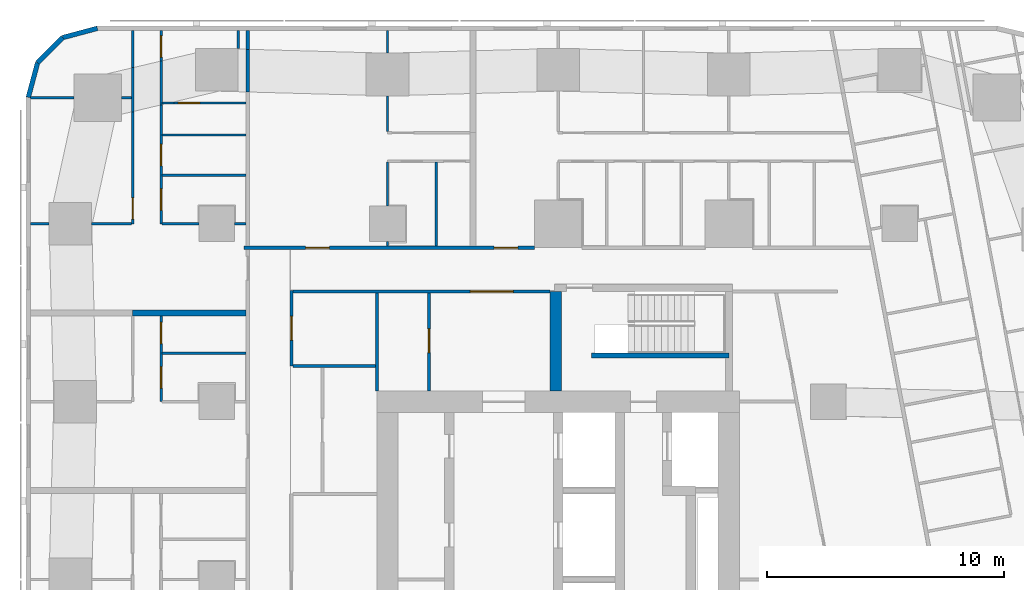
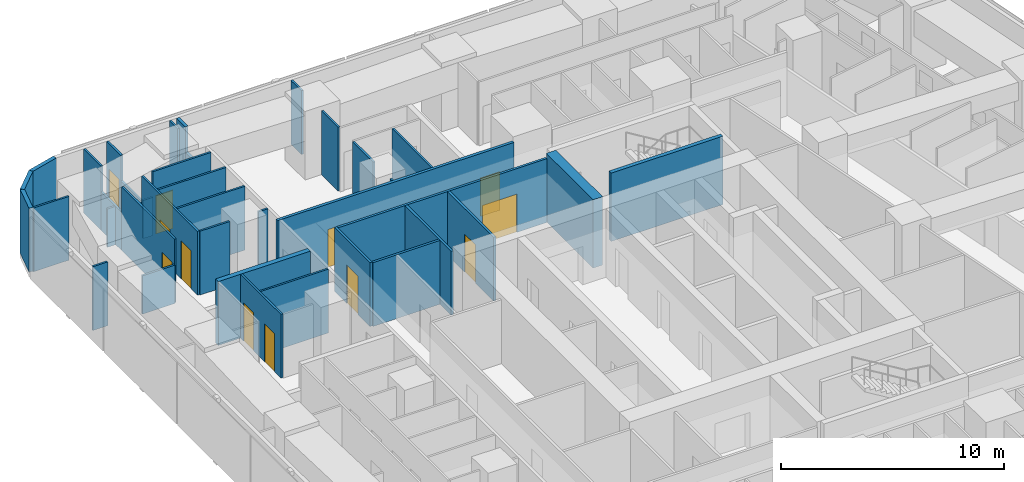
# One storey, part 8 of 14: 38 walls, 12 doors, 12 openings.
"""IFC4 building model written with IfcOpenShell, lengths in metres."""

from ifc_helpers import new_model, si_unit, direction, frame, frame_2d, origin, place, context, subcontext, project, spatial, rectangle, extrude, material, layer, layer_set, type_object, element, fill, save


model = new_model("IFC4")

# Units and contexts
model_context = context("Model", 3, precision=1e-05, world=origin(), true_north=direction((0.0, 1.0)))
body_context = subcontext(model_context, "Body", "Model", "MODEL_VIEW")
ifc_project = project(units=[si_unit("LENGTHUNIT", "METRE"), si_unit("AREAUNIT", "SQUARE_METRE"), si_unit("VOLUMEUNIT", "CUBIC_METRE"), si_unit("PLANEANGLEUNIT", "RADIAN"), si_unit("MASSUNIT", "GRAM", prefix="KILO")], contexts=[model_context])

# Site, building, storey
site_placement = place(None, origin())
site = spatial("IfcSite", under=ifc_project, at=site_placement, CompositionType="ELEMENT")
building_placement = place(site_placement, origin())
building = spatial("IfcBuilding", under=site, at=building_placement, Name="Sheger Commons Tower", CompositionType="ELEMENT")
storey_placement = place(building_placement, frame((0.0, 0.0, 135.800048828125)))
storey = spatial("IfcBuildingStorey", under=building, at=storey_placement, Name="L34", CompositionType="ELEMENT", Elevation=135.800048828125)

# Walls
ifc_material_1 = material(Name="Hollow concrete block masonry, skimmed both sides", Category="masonry")
ifc_layer_1 = layer(ifc_material_1, 0.14990234375)
ifc_layer_set_1 = layer_set([ifc_layer_1], Name="CORRIDOR WALL 150")
wall_type_1 = type_object("IfcWallType", Name="CORRIDOR WALL 150", PredefinedType="SOLIDWALL", material=ifc_layer_set_1)
wall_1_placement = place(storey_placement, frame((8.5, 43.06103515625, 0.0), z_axis=(0.0, 0.0, 1.0), x_axis=(0.0, 1.0, 0.0)))
element("IfcWall", 1, at=wall_1_placement, inside=storey, type_object=wall_type_1, Name="Corridor wall L34", PredefinedType="SOLIDWALL", context=body_context, shape_type="SweptSolid", body=[
    extrude(rectangle(XDim=1.804931640625, YDim=0.14990234375, at=frame_2d((0.90234375, 0.0))), origin(), (0.0, 0.0, 1.0), 2.099853515625),
])
wall_2_placement = place(storey_placement, frame((8.5, 44.865966796875, 0.0), z_axis=(0.0, 0.0, 1.0), x_axis=(0.0, 1.0, 0.0)))
element("IfcWall", 2, at=wall_2_placement, inside=storey, type_object=wall_type_1, Name="Corridor wall L34", PredefinedType="SOLIDWALL", context=body_context, shape_type="SweptSolid", body=[
    extrude(rectangle(XDim=0.783935546875, YDim=0.14990234375, at=frame_2d((0.39208984375, 0.0))), origin(), (0.0, 0.0, 1.0), 3.5),
])

# Wall, openings, doors
wall_3_placement = place(storey_placement, frame((8.35009765625, 36.5, 0.0), z_axis=(0.0, 0.0, 1.0), x_axis=(1.0, 0.0, 0.0)))
wall_3 = element("IfcWall", 3, at=wall_3_placement, inside=storey, type_object=wall_type_1, Name="Corridor wall L34", PredefinedType="SOLIDWALL", context=body_context, shape_type="SweptSolid", body=[
    extrude(rectangle(XDim=12.2490234375, YDim=0.14990234375, at=frame_2d((6.12451171875, 0.0))), origin(), (0.0, 0.0, 1.0), 3.5),
])
opening_1_placement = place(wall_3_placement, frame((2.60009765625, 0.0, 0.0)))
opening_1 = element("IfcOpeningElement", 4, at=opening_1_placement, cuts=wall_3, Name="Opening D1", PredefinedType="OPENING", context=body_context, shape_type="SweptSolid", body=[
    extrude(rectangle(XDim=1.0, YDim=2.10009765625, at=frame_2d((0.5, 1.050048828125))), frame((0.0, 0.0849609375, 0.0), z_axis=(0.0, -1.0, 0.0), x_axis=(1.0, 0.0, 0.0)), (0.0, 0.0, 1.0), 0.169921875),
])
opening_2_placement = place(wall_3_placement, frame((10.550048828125, 0.0, 0.0)))
opening_2 = element("IfcOpeningElement", 5, at=opening_2_placement, cuts=wall_3, Name="Opening D1", PredefinedType="OPENING", context=body_context, shape_type="SweptSolid", body=[
    extrude(rectangle(XDim=1.0, YDim=2.10009765625, at=frame_2d((0.5, 1.050048828125))), frame((0.0, 0.0849609375, 0.0), z_axis=(0.0, -1.0, 0.0), x_axis=(1.0, 0.0, 0.0)), (0.0, 0.0, 1.0), 0.169921875),
])
ifc_material_2 = material(Name="Steel door set, fire rated", Category="steel")
door_type_1 = type_object("IfcDoorType", Name="FLAT ENTRANCE DOOR 1000x2100", OperationType="NOTDEFINED", PredefinedType="DOOR", material=ifc_material_2)
door_1_placement = place(opening_1_placement, origin())
door_1 = element("IfcDoor", 6, at=door_1_placement, inside=storey, type_object=door_type_1, Name="Flat entrance door", OperationType="SINGLE_SWING_LEFT", OverallHeight=2.10009765625, OverallWidth=1.0, PredefinedType="DOOR", context=body_context, shape_type="SweptSolid", body=[
    extrude(rectangle(XDim=1.0, YDim=2.10009765625, at=frame_2d((0.5, 1.050048828125))), frame((0.0, 0.02490234375, 0.0), z_axis=(0.0, -1.0, 0.0), x_axis=(1.0, 0.0, 0.0)), (0.0, 0.0, 1.0), 0.050048828125),
])
fill(opening_1, door_1)
door_2_placement = place(opening_2_placement, origin())
door_2 = element("IfcDoor", 7, at=door_2_placement, inside=storey, type_object=door_type_1, Name="Flat entrance door", OperationType="SINGLE_SWING_RIGHT", OverallHeight=2.10009765625, OverallWidth=1.0, PredefinedType="DOOR", context=body_context, shape_type="SweptSolid", body=[
    extrude(rectangle(XDim=1.0, YDim=2.10009765625, at=frame_2d((0.5, 1.050048828125))), frame((0.0, 0.02490234375, 0.0), z_axis=(0.0, -1.0, 0.0), x_axis=(1.0, 0.0, 0.0)), (0.0, 0.0, 1.0), 0.050048828125),
])
fill(opening_2, door_2)

# Walls
ifc_material_3 = material(Name="Dense concrete block masonry, plastered both sides (separating wall between flats)", Category="masonry")
ifc_layer_2 = layer(ifc_material_3, 0.25)
ifc_layer_set_2 = layer_set([ifc_layer_2], Name="DEMISING WALL 250")
wall_type_2 = type_object("IfcWallType", Name="DEMISING WALL 250", PredefinedType="SOLIDWALL", material=ifc_layer_set_2)
wall_4_placement = place(storey_placement, frame((3.64990234375, 33.75, 0.0), z_axis=(0.0, 0.0, 1.0), x_axis=(1.0, 0.0, 0.0)))
element("IfcWall", 8, at=wall_4_placement, inside=storey, type_object=wall_type_2, Name="Demising wall L34", PredefinedType="SOLIDWALL", context=body_context, shape_type="SweptSolid", body=[
    extrude(rectangle(XDim=4.775146484375, YDim=0.25, at=frame_2d((2.3876953125, 0.0))), origin(), (0.0, 0.0, 1.0), 3.5),
])
ifc_material_4 = material(Name="Rendered concrete block masonry, dark grey", Category="masonry")
ifc_layer_3 = layer(ifc_material_4, 0.199951171875)
ifc_layer_set_3 = layer_set([ifc_layer_3], Name="FACADE WALL 200")
wall_type_3 = type_object("IfcWallType", Name="FACADE WALL 200", PredefinedType="SOLIDWALL", material=ifc_layer_set_3)
wall_5_placement = place(storey_placement, frame((2.1630859375, 45.75, 0.0), z_axis=(0.0, 0.0, 1.0), x_axis=(-0.965832000415, -0.259168954497, 0.0)))
element("IfcWall", 9, at=wall_5_placement, inside=storey, type_object=wall_type_3, Name="Facade wall L34", PredefinedType="SOLIDWALL", context=body_context, shape_type="SweptSolid", body=[
    extrude(rectangle(XDim=1.512939453125, YDim=0.199951171875, at=frame_2d((0.75634765625, 0.0))), origin(), (0.0, 0.0, 1.0), 3.5),
])
wall_6_placement = place(storey_placement, frame((0.701904296875, 45.35791015625, 0.0), z_axis=(0.0, 0.0, 1.0), x_axis=(-0.707106781187, -0.707106781187, 0.0)))
element("IfcWall", 10, at=wall_6_placement, inside=storey, type_object=wall_type_3, Name="Facade wall L34", PredefinedType="SOLIDWALL", context=body_context, shape_type="SweptSolid", body=[
    extrude(rectangle(XDim=1.498779296875, YDim=0.199951171875, at=frame_2d((0.74951171875, 0.0))), origin(), (0.0, 0.0, 1.0), 3.5),
])
wall_7_placement = place(storey_placement, frame((-0.35791015625, 44.298095703125, 0.0), z_axis=(0.0, 0.0, 1.0), x_axis=(-0.259168954497, -0.965832000415, 0.0)))
element("IfcWall", 11, at=wall_7_placement, inside=storey, type_object=wall_type_3, Name="Facade wall L34", PredefinedType="SOLIDWALL", context=body_context, shape_type="SweptSolid", body=[
    extrude(rectangle(XDim=1.512939453125, YDim=0.199951171875, at=frame_2d((0.75634765625, 0.0))), origin(), (0.0, 0.0, 1.0), 3.5),
])
ifc_material_5 = material(Name="Gypsum board on steel studs", Category="steel")
ifc_layer_4 = layer(ifc_material_5, 0.10009765625)
ifc_layer_set_4 = layer_set([ifc_layer_4], Name="PARTITION 100")
wall_type_4 = type_object("IfcWallType", Name="PARTITION 100", PredefinedType="PARTITIONING", material=ifc_layer_set_4)
wall_8_placement = place(storey_placement, frame((8.10009765625, 45.64990234375, 0.0), z_axis=(0.0, 0.0, 1.0), x_axis=(0.0, -1.0, 0.0)))
element("IfcWall", 12, at=wall_8_placement, inside=storey, type_object=wall_type_4, Name="Partition L34", PredefinedType="PARTITIONING", context=body_context, shape_type="SweptSolid", body=[
    extrude(rectangle(XDim=0.7490234375, YDim=0.10009765625, at=frame_2d((0.37451171875, 0.0))), origin(), (0.0, 0.0, 1.0), 3.5),
])

# Wall, openings, doors
wall_9_placement = place(storey_placement, frame((4.85009765625, 30.0, 0.0), z_axis=(0.0, 0.0, 1.0), x_axis=(0.0, 1.0, 0.0)))
wall_9 = element("IfcWall", 13, at=wall_9_placement, inside=storey, type_object=wall_type_4, Name="Partition L34", PredefinedType="PARTITIONING", context=body_context, shape_type="SweptSolid", body=[
    extrude(rectangle(XDim=3.625, YDim=0.10009765625, at=frame_2d((1.8125, 0.0))), origin(), (0.0, 0.0, 1.0), 3.5),
])
opening_3_placement = place(wall_9_placement, frame((0.574951171875, 0.0, 0.0)))
opening_3 = element("IfcOpeningElement", 14, at=opening_3_placement, cuts=wall_9, Name="Opening D2", PredefinedType="OPENING", context=body_context, shape_type="SweptSolid", body=[
    extrude(rectangle(XDim=0.89990234375, YDim=2.10009765625, at=frame_2d((0.449951171875, 1.050048828125))), frame((0.0, 0.06005859375, 0.0), z_axis=(0.0, -1.0, 0.0), x_axis=(1.0, 0.0, 0.0)), (0.0, 0.0, 1.0), 0.1201171875),
])
opening_4_placement = place(wall_9_placement, frame((2.449951171875, 0.0, 0.0)))
opening_4 = element("IfcOpeningElement", 15, at=opening_4_placement, cuts=wall_9, Name="Opening D2", PredefinedType="OPENING", context=body_context, shape_type="SweptSolid", body=[
    extrude(rectangle(XDim=0.89990234375, YDim=2.10009765625, at=frame_2d((0.449951171875, 1.050048828125))), frame((0.0, 0.06005859375, 0.0), z_axis=(0.0, -1.0, 0.0), x_axis=(1.0, 0.0, 0.0)), (0.0, 0.0, 1.0), 0.1201171875),
])
ifc_material_6 = material(Name="Timber door set", Category="wood")
door_type_2 = type_object("IfcDoorType", Name="INTERNAL DOOR 900x2100", OperationType="NOTDEFINED", PredefinedType="DOOR", material=ifc_material_6)
door_3_placement = place(opening_3_placement, origin())
door_3 = element("IfcDoor", 16, at=door_3_placement, inside=storey, type_object=door_type_2, Name="Bathroom door", OperationType="SINGLE_SWING_RIGHT", OverallHeight=2.10009765625, OverallWidth=0.89990234375, PredefinedType="DOOR", context=body_context, shape_type="SweptSolid", body=[
    extrude(rectangle(XDim=0.89990234375, YDim=2.10009765625, at=frame_2d((0.449951171875, 1.050048828125))), frame((0.0, 0.02490234375, 0.0), z_axis=(0.0, -1.0, 0.0), x_axis=(1.0, 0.0, 0.0)), (0.0, 0.0, 1.0), 0.050048828125),
])
fill(opening_3, door_3)
door_4_placement = place(opening_4_placement, origin())
door_4 = element("IfcDoor", 17, at=door_4_placement, inside=storey, type_object=door_type_2, Name="Store door", OperationType="SINGLE_SWING_LEFT", OverallHeight=2.10009765625, OverallWidth=0.89990234375, PredefinedType="DOOR", context=body_context, shape_type="SweptSolid", body=[
    extrude(rectangle(XDim=0.89990234375, YDim=2.10009765625, at=frame_2d((0.449951171875, 1.050048828125))), frame((0.0, 0.02490234375, 0.0), z_axis=(0.0, -1.0, 0.0), x_axis=(1.0, 0.0, 0.0)), (0.0, 0.0, 1.0), 0.050048828125),
])
fill(opening_4, door_4)

# Wall
wall_10_placement = place(storey_placement, frame((4.89990234375, 32.050048828125, 0.0), z_axis=(0.0, 0.0, 1.0), x_axis=(1.0, 0.0, 0.0)))
element("IfcWall", 18, at=wall_10_placement, inside=storey, type_object=wall_type_4, Name="Partition L34", PredefinedType="PARTITIONING", context=body_context, shape_type="SweptSolid", body=[
    extrude(rectangle(XDim=3.525146484375, YDim=0.10009765625, at=frame_2d((1.7626953125, 0.0))), origin(), (0.0, 0.0, 1.0), 3.5),
])

# Wall, opening, door
wall_11_placement = place(storey_placement, frame((3.64990234375, 37.5, 0.0), z_axis=(0.0, 0.0, 1.0), x_axis=(0.0, 1.0, 0.0)))
wall_11 = element("IfcWall", 19, at=wall_11_placement, inside=storey, type_object=wall_type_4, Name="Partition L34", PredefinedType="PARTITIONING", context=body_context, shape_type="SweptSolid", body=[
    extrude(rectangle(XDim=4.72412109375, YDim=0.10009765625, at=frame_2d((2.362060546875, 0.0))), origin(), (0.0, 0.0, 1.0), 3.5),
])
opening_5_placement = place(wall_11_placement, frame((0.199951171875, 0.0, 0.0)))
opening_5 = element("IfcOpeningElement", 20, at=opening_5_placement, cuts=wall_11, Name="Opening D2", PredefinedType="OPENING", context=body_context, shape_type="SweptSolid", body=[
    extrude(rectangle(XDim=0.89990234375, YDim=2.10009765625, at=frame_2d((0.449951171875, 1.050048828125))), frame((0.0, 0.06005859375, 0.0), z_axis=(0.0, -1.0, 0.0), x_axis=(1.0, 0.0, 0.0)), (0.0, 0.0, 1.0), 0.1201171875),
])
door_5_placement = place(opening_5_placement, origin())
door_5 = element("IfcDoor", 21, at=door_5_placement, inside=storey, type_object=door_type_2, Name="Main bedroom door", OperationType="SINGLE_SWING_LEFT", OverallHeight=2.10009765625, OverallWidth=0.89990234375, PredefinedType="DOOR", context=body_context, shape_type="SweptSolid", body=[
    extrude(rectangle(XDim=0.89990234375, YDim=2.10009765625, at=frame_2d((0.449951171875, 1.050048828125))), frame((0.0, 0.02490234375, 0.0), z_axis=(0.0, -1.0, 0.0), x_axis=(1.0, 0.0, 0.0)), (0.0, 0.0, 1.0), 0.050048828125),
])
fill(opening_5, door_5)

# Walls
wall_12_placement = place(storey_placement, frame((3.64990234375, 42.22412109375, 0.0), z_axis=(0.0, 0.0, 1.0), x_axis=(0.0, 1.0, 0.0)))
element("IfcWall", 22, at=wall_12_placement, inside=storey, type_object=wall_type_4, Name="Partition L34", PredefinedType="PARTITIONING", context=body_context, shape_type="SweptSolid", body=[
    extrude(rectangle(XDim=1.872802734375, YDim=0.10009765625, at=frame_2d((0.9365234375, 0.0))), origin(), (0.0, 0.0, 1.0), 2.099853515625),
])
wall_13_placement = place(storey_placement, frame((3.64990234375, 44.096923828125, 0.0), z_axis=(0.0, 0.0, 1.0), x_axis=(0.0, 1.0, 0.0)))
element("IfcWall", 23, at=wall_13_placement, inside=storey, type_object=wall_type_4, Name="Partition L34", PredefinedType="PARTITIONING", context=body_context, shape_type="SweptSolid", body=[
    extrude(rectangle(XDim=1.552978515625, YDim=0.10009765625, at=frame_2d((0.7763671875, 0.0))), origin(), (0.0, 0.0, 1.0), 3.5),
])

# Wall, openings, doors
wall_14_placement = place(storey_placement, frame((4.85009765625, 37.5, 0.0), z_axis=(0.0, 0.0, 1.0), x_axis=(0.0, 1.0, 0.0)))
wall_14 = element("IfcWall", 24, at=wall_14_placement, inside=storey, type_object=wall_type_4, Name="Partition L34", PredefinedType="PARTITIONING", context=body_context, shape_type="SweptSolid", body=[
    extrude(rectangle(XDim=5.007080078125, YDim=0.10009765625, at=frame_2d((2.50341796875, 0.0))), origin(), (0.0, 0.0, 1.0), 3.5),
])
opening_6_placement = place(wall_14_placement, frame((0.574951171875, 0.0, 0.0)))
opening_6 = element("IfcOpeningElement", 25, at=opening_6_placement, cuts=wall_14, Name="Opening D2", PredefinedType="OPENING", context=body_context, shape_type="SweptSolid", body=[
    extrude(rectangle(XDim=0.89990234375, YDim=2.10009765625, at=frame_2d((0.449951171875, 1.050048828125))), frame((0.0, 0.06005859375, 0.0), z_axis=(0.0, -1.0, 0.0), x_axis=(1.0, 0.0, 0.0)), (0.0, 0.0, 1.0), 0.1201171875),
])
opening_7_placement = place(wall_14_placement, frame((2.449951171875, 0.0, 0.0)))
opening_7 = element("IfcOpeningElement", 26, at=opening_7_placement, cuts=wall_14, Name="Opening D2", PredefinedType="OPENING", context=body_context, shape_type="SweptSolid", body=[
    extrude(rectangle(XDim=0.89990234375, YDim=2.10009765625, at=frame_2d((0.449951171875, 1.050048828125))), frame((0.0, 0.06005859375, 0.0), z_axis=(0.0, -1.0, 0.0), x_axis=(1.0, 0.0, 0.0)), (0.0, 0.0, 1.0), 0.1201171875),
])
door_6_placement = place(opening_6_placement, origin())
door_6 = element("IfcDoor", 27, at=door_6_placement, inside=storey, type_object=door_type_2, Name="Bathroom door", OperationType="SINGLE_SWING_RIGHT", OverallHeight=2.10009765625, OverallWidth=0.89990234375, PredefinedType="DOOR", context=body_context, shape_type="SweptSolid", body=[
    extrude(rectangle(XDim=0.89990234375, YDim=2.10009765625, at=frame_2d((0.449951171875, 1.050048828125))), frame((0.0, 0.02490234375, 0.0), z_axis=(0.0, -1.0, 0.0), x_axis=(1.0, 0.0, 0.0)), (0.0, 0.0, 1.0), 0.050048828125),
])
fill(opening_6, door_6)
door_7_placement = place(opening_7_placement, origin())
door_7 = element("IfcDoor", 28, at=door_7_placement, inside=storey, type_object=door_type_2, Name="Store door", OperationType="SINGLE_SWING_LEFT", OverallHeight=2.10009765625, OverallWidth=0.89990234375, PredefinedType="DOOR", context=body_context, shape_type="SweptSolid", body=[
    extrude(rectangle(XDim=0.89990234375, YDim=2.10009765625, at=frame_2d((0.449951171875, 1.050048828125))), frame((0.0, 0.02490234375, 0.0), z_axis=(0.0, -1.0, 0.0), x_axis=(1.0, 0.0, 0.0)), (0.0, 0.0, 1.0), 0.050048828125),
])
fill(opening_7, door_7)

# Wall
wall_15_placement = place(storey_placement, frame((4.85009765625, 42.507080078125, 0.0), z_axis=(0.0, 0.0, 1.0), x_axis=(0.0, 1.0, 0.0)))
element("IfcWall", 29, at=wall_15_placement, inside=storey, type_object=wall_type_4, Name="Partition L34", PredefinedType="PARTITIONING", context=body_context, shape_type="SweptSolid", body=[
    extrude(rectangle(XDim=1.8740234375, YDim=0.10009765625, at=frame_2d((0.93701171875, 0.0))), origin(), (0.0, 0.0, 1.0), 2.099853515625),
])

# Wall, opening, door
wall_16_placement = place(storey_placement, frame((4.85009765625, 44.381103515625, 0.0), z_axis=(0.0, 0.0, 1.0), x_axis=(0.0, 1.0, 0.0)))
wall_16 = element("IfcWall", 30, at=wall_16_placement, inside=storey, type_object=wall_type_4, Name="Partition L34", PredefinedType="PARTITIONING", context=body_context, shape_type="SweptSolid", body=[
    extrude(rectangle(XDim=1.268798828125, YDim=0.10009765625, at=frame_2d((0.63427734375, 0.0))), origin(), (0.0, 0.0, 1.0), 3.5),
])
opening_8_placement = place(wall_16_placement, frame((0.14990234375, 0.0, 0.0)))
opening_8 = element("IfcOpeningElement", 31, at=opening_8_placement, cuts=wall_16, Name="Opening D2", PredefinedType="OPENING", context=body_context, shape_type="SweptSolid", body=[
    extrude(rectangle(XDim=0.89990234375, YDim=2.10009765625, at=frame_2d((0.449951171875, 1.050048828125))), frame((0.0, 0.06005859375, 0.0), z_axis=(0.0, -1.0, 0.0), x_axis=(1.0, 0.0, 0.0)), (0.0, 0.0, 1.0), 0.1201171875),
])
door_8_placement = place(opening_8_placement, origin())
door_8 = element("IfcDoor", 32, at=door_8_placement, inside=storey, type_object=door_type_2, Name="Store and laundry door", OperationType="SINGLE_SWING_RIGHT", OverallHeight=2.10009765625, OverallWidth=0.89990234375, PredefinedType="DOOR", context=body_context, shape_type="SweptSolid", body=[
    extrude(rectangle(XDim=0.89990234375, YDim=2.10009765625, at=frame_2d((0.449951171875, 1.050048828125))), frame((0.0, 0.02490234375, 0.0), z_axis=(0.0, -1.0, 0.0), x_axis=(1.0, 0.0, 0.0)), (0.0, 0.0, 1.0), 0.050048828125),
])
fill(opening_8, door_8)

# Walls
wall_17_placement = place(storey_placement, frame((-0.64990234375, 37.5, 0.0), z_axis=(0.0, 0.0, 1.0), x_axis=(1.0, 0.0, 0.0)))
element("IfcWall", 33, at=wall_17_placement, inside=storey, type_object=wall_type_4, Name="Partition L34", PredefinedType="PARTITIONING", context=body_context, shape_type="SweptSolid", body=[
    extrude(rectangle(XDim=0.77392578125, YDim=0.10009765625, at=frame_2d((0.386962890625, 0.0))), origin(), (0.0, 0.0, 1.0), 3.5),
])
wall_18_placement = place(storey_placement, frame((1.926025390625, 37.5, 0.0), z_axis=(0.0, 0.0, 1.0), x_axis=(1.0, 0.0, 0.0)))
element("IfcWall", 34, at=wall_18_placement, inside=storey, type_object=wall_type_4, Name="Partition L34", PredefinedType="PARTITIONING", context=body_context, shape_type="SweptSolid", body=[
    extrude(rectangle(XDim=1.674072265625, YDim=0.10009765625, at=frame_2d((0.8369140625, 0.0))), origin(), (0.0, 0.0, 1.0), 2.099853515625),
])
wall_19_placement = place(storey_placement, frame((-0.64990234375, 42.81396484375, 0.0), z_axis=(0.0, 0.0, 1.0), x_axis=(1.0, 0.0, 0.0)))
element("IfcWall", 35, at=wall_19_placement, inside=storey, type_object=wall_type_4, Name="Partition L34", PredefinedType="PARTITIONING", context=body_context, shape_type="SweptSolid", body=[
    extrude(rectangle(XDim=1.8349609375, YDim=0.10009765625, at=frame_2d((0.91748046875, 0.0))), origin(), (0.0, 0.0, 1.0), 3.5),
])
wall_20_placement = place(storey_placement, frame((3.18701171875, 42.81396484375, 0.0), z_axis=(0.0, 0.0, 1.0), x_axis=(1.0, 0.0, 0.0)))
element("IfcWall", 36, at=wall_20_placement, inside=storey, type_object=wall_type_4, Name="Partition L34", PredefinedType="PARTITIONING", context=body_context, shape_type="SweptSolid", body=[
    extrude(rectangle(XDim=0.4130859375, YDim=0.10009765625, at=frame_2d((0.20654296875, 0.0))), origin(), (0.0, 0.0, 1.0), 2.099853515625),
])
wall_21_placement = place(storey_placement, frame((4.89990234375, 37.5, 0.0), z_axis=(0.0, 0.0, 1.0), x_axis=(1.0, 0.0, 0.0)))
element("IfcWall", 37, at=wall_21_placement, inside=storey, type_object=wall_type_4, Name="Partition L34", PredefinedType="PARTITIONING", context=body_context, shape_type="SweptSolid", body=[
    extrude(rectangle(XDim=1.549072265625, YDim=0.10009765625, at=frame_2d((0.7744140625, 0.0))), origin(), (0.0, 0.0, 1.0), 3.5),
])
wall_22_placement = place(storey_placement, frame((7.950927734375, 37.5, 0.0), z_axis=(0.0, 0.0, 1.0), x_axis=(1.0, 0.0, 0.0)))
element("IfcWall", 38, at=wall_22_placement, inside=storey, type_object=wall_type_4, Name="Partition L34", PredefinedType="PARTITIONING", context=body_context, shape_type="SweptSolid", body=[
    extrude(rectangle(XDim=0.47412109375, YDim=0.10009765625, at=frame_2d((0.237060546875, 0.0))), origin(), (0.0, 0.0, 1.0), 3.5),
])
for number, where, z_axis, x_axis, name in (
    (39, (4.89990234375, 41.25, 0.0), (0.0, 0.0, 1.0), (1.0, 0.0, 0.0), "Partition L34"),
    (40, (4.89990234375, 39.550048828125, 0.0), (0.0, 0.0, 1.0), (1.0, 0.0, 0.0), "Partition L34"),
):
    element("IfcWall", number, at=place(storey_placement, frame(where, z_axis=z_axis, x_axis=x_axis)), inside=storey, type_object=wall_type_4, Name=name, PredefinedType="PARTITIONING", context=body_context, shape_type="SweptSolid", body=[
        extrude(rectangle(XDim=3.525146484375, YDim=0.10009765625, at=frame_2d((1.7626953125, 0.0))), origin(), (0.0, 0.0, 1.0), 3.5),
    ])
wall_23_placement = place(storey_placement, frame((14.39990234375, 41.39990234375, 0.0), z_axis=(0.0, 0.0, 1.0), x_axis=(0.0, 1.0, 0.0)))
element("IfcWall", 41, at=wall_23_placement, inside=storey, type_object=wall_type_4, Name="Partition L34", PredefinedType="PARTITIONING", context=body_context, shape_type="SweptSolid", body=[
    extrude(rectangle(XDim=1.4990234375, YDim=0.10009765625, at=frame_2d((0.74951171875, 0.0))), origin(), (0.0, 0.0, 1.0), 3.5),
])
wall_24_placement = place(storey_placement, frame((14.39990234375, 44.700927734375, 0.0), z_axis=(0.0, 0.0, 1.0), x_axis=(0.0, 1.0, 0.0)))
element("IfcWall", 42, at=wall_24_placement, inside=storey, type_object=wall_type_4, Name="Partition L34", PredefinedType="PARTITIONING", context=body_context, shape_type="SweptSolid", body=[
    extrude(rectangle(XDim=0.948974609375, YDim=0.10009765625, at=frame_2d((0.474609375, 0.0))), origin(), (0.0, 0.0, 1.0), 3.5),
])
wall_25_placement = place(storey_placement, frame((14.39990234375, 36.574951171875, 0.0), z_axis=(0.0, 0.0, 1.0), x_axis=(0.0, 1.0, 0.0)))
element("IfcWall", 43, at=wall_25_placement, inside=storey, type_object=wall_type_4, Name="Partition L34", PredefinedType="PARTITIONING", context=body_context, shape_type="SweptSolid", body=[
    extrude(rectangle(XDim=0.174072265625, YDim=0.10009765625, at=frame_2d((0.0869140625, 0.0))), origin(), (0.0, 0.0, 1.0), 3.5),
])
wall_26_placement = place(storey_placement, frame((14.39990234375, 38.2509765625, 0.0), z_axis=(0.0, 0.0, 1.0), x_axis=(0.0, 1.0, 0.0)))
element("IfcWall", 44, at=wall_26_placement, inside=storey, type_object=wall_type_4, Name="Partition L34", PredefinedType="PARTITIONING", context=body_context, shape_type="SweptSolid", body=[
    extrude(rectangle(XDim=1.84912109375, YDim=0.10009765625, at=frame_2d((0.924560546875, 0.0))), origin(), (0.0, 0.0, 1.0), 3.5),
])
wall_27_placement = place(storey_placement, frame((16.449951171875, 36.574951171875, 0.0), z_axis=(0.0, 0.0, 1.0), x_axis=(0.0, 1.0, 0.0)))
element("IfcWall", 45, at=wall_27_placement, inside=storey, type_object=wall_type_4, Name="Partition L34", PredefinedType="PARTITIONING", context=body_context, shape_type="SweptSolid", body=[
    extrude(rectangle(XDim=3.525146484375, YDim=0.10009765625, at=frame_2d((1.7626953125, 0.0))), origin(), (0.0, 0.0, 1.0), 3.5),
])

# Wall, opening, door
wall_28_placement = place(storey_placement, frame((8.425048828125, 42.60009765625, 0.0), z_axis=(0.0, 0.0, 1.0), x_axis=(-1.0, 0.0, 0.0)))
wall_28 = element("IfcWall", 46, at=wall_28_placement, inside=storey, type_object=wall_type_4, Name="Partition L34", PredefinedType="PARTITIONING", context=body_context, shape_type="SweptSolid", body=[
    extrude(rectangle(XDim=3.02197265625, YDim=0.10009765625, at=frame_2d((1.510986328125, 0.0))), origin(), (0.0, 0.0, 1.0), 3.5),
])
opening_9_placement = place(wall_28_placement, frame((1.949951171875, 0.0, 0.0)))
opening_9 = element("IfcOpeningElement", 47, at=opening_9_placement, cuts=wall_28, Name="Opening D2", PredefinedType="OPENING", context=body_context, shape_type="SweptSolid", body=[
    extrude(rectangle(XDim=0.89990234375, YDim=2.10009765625, at=frame_2d((0.449951171875, 1.050048828125))), frame((0.0, 0.06005859375, 0.0), z_axis=(0.0, -1.0, 0.0), x_axis=(1.0, 0.0, 0.0)), (0.0, 0.0, 1.0), 0.1201171875),
])
door_9_placement = place(opening_9_placement, origin())
door_9 = element("IfcDoor", 48, at=door_9_placement, inside=storey, type_object=door_type_2, Name="Store door", OperationType="SINGLE_SWING_RIGHT", OverallHeight=2.10009765625, OverallWidth=0.89990234375, PredefinedType="DOOR", context=body_context, shape_type="SweptSolid", body=[
    extrude(rectangle(XDim=0.89990234375, YDim=2.10009765625, at=frame_2d((0.449951171875, 1.050048828125))), frame((0.0, 0.02490234375, 0.0), z_axis=(0.0, -1.0, 0.0), x_axis=(1.0, 0.0, 0.0)), (0.0, 0.0, 1.0), 0.050048828125),
])
fill(opening_9, door_9)

# Wall
wall_29_placement = place(storey_placement, frame((5.403076171875, 42.60009765625, 0.0), z_axis=(0.0, 0.0, 1.0), x_axis=(-1.0, 0.0, 0.0)))
element("IfcWall", 49, at=wall_29_placement, inside=storey, type_object=wall_type_4, Name="Partition L34", PredefinedType="PARTITIONING", context=body_context, shape_type="SweptSolid", body=[
    extrude(rectangle(XDim=0.503173828125, YDim=0.10009765625, at=frame_2d((0.25146484375, 0.0))), origin(), (0.0, 0.0, 1.0), 2.099853515625),
])

# Wall, opening, door
ifc_material_7 = material(Name="Gypsum board on steel studs, two layers each side, fire rated", Category="steel")
ifc_layer_5 = layer(ifc_material_7, 0.125)
ifc_layer_set_5 = layer_set([ifc_layer_5], Name="SERVICE WALL 125")
wall_type_5 = type_object("IfcWallType", Name="SERVICE WALL 125", PredefinedType="PARTITIONING", material=ifc_layer_set_5)
wall_30_placement = place(storey_placement, frame((10.35009765625, 31.5, 0.0), z_axis=(0.0, 0.0, 1.0), x_axis=(0.0, 1.0, 0.0)))
wall_30 = element("IfcWall", 50, at=wall_30_placement, inside=storey, type_object=wall_type_5, Name="Service room wall L34", PredefinedType="PARTITIONING", context=body_context, shape_type="SweptSolid", body=[
    extrude(rectangle(XDim=3.199951171875, YDim=0.125, at=frame_2d((1.60009765625, 0.0))), origin(), (0.0, 0.0, 1.0), 3.5),
])
opening_10_placement = place(wall_30_placement, frame((1.10009765625, 0.0, 0.0)))
opening_10 = element("IfcOpeningElement", 51, at=opening_10_placement, cuts=wall_30, Name="Opening D4", PredefinedType="OPENING", context=body_context, shape_type="SweptSolid", body=[
    extrude(rectangle(XDim=1.0, YDim=2.10009765625, at=frame_2d((0.5, 1.050048828125))), frame((0.0, 0.072509765625, 0.0), z_axis=(0.0, -1.0, 0.0), x_axis=(1.0, 0.0, 0.0)), (0.0, 0.0, 1.0), 0.14501953125),
])
ifc_material_8 = material(Name="Steel door set, fire rated", Category="steel")
door_type_3 = type_object("IfcDoorType", Name="SERVICE DOOR 1000x2100", OperationType="NOTDEFINED", PredefinedType="DOOR", material=ifc_material_8)
door_10_placement = place(opening_10_placement, origin())
door_10 = element("IfcDoor", 52, at=door_10_placement, inside=storey, type_object=door_type_3, Name="Cleaner's store door", OperationType="SINGLE_SWING_LEFT", OverallHeight=2.10009765625, OverallWidth=1.0, PredefinedType="DOOR", context=body_context, shape_type="SweptSolid", body=[
    extrude(rectangle(XDim=1.0, YDim=2.10009765625, at=frame_2d((0.5, 1.050048828125))), frame((0.0, 0.02490234375, 0.0), z_axis=(0.0, -1.0, 0.0), x_axis=(1.0, 0.0, 0.0)), (0.0, 0.0, 1.0), 0.050048828125),
])
fill(opening_10, door_10)

# Walls
wall_31_placement = place(storey_placement, frame((10.4130859375, 31.5, 0.0), z_axis=(0.0, 0.0, 1.0), x_axis=(1.0, 0.0, 0.0)))
element("IfcWall", 53, at=wall_31_placement, inside=storey, type_object=wall_type_5, Name="Service room wall L34", PredefinedType="PARTITIONING", context=body_context, shape_type="SweptSolid", body=[
    extrude(rectangle(XDim=3.474853515625, YDim=0.125, at=frame_2d((1.7373046875, 0.0))), origin(), (0.0, 0.0, 1.0), 3.5),
])
wall_32_placement = place(storey_placement, frame((13.949951171875, 30.449951171875, 0.0), z_axis=(0.0, 0.0, 1.0), x_axis=(0.0, 1.0, 0.0)))
element("IfcWall", 54, at=wall_32_placement, inside=storey, type_object=wall_type_5, Name="Service room wall L34", PredefinedType="PARTITIONING", context=body_context, shape_type="SweptSolid", body=[
    extrude(rectangle(XDim=4.136962890625, YDim=0.125, at=frame_2d((2.068359375, 0.0))), origin(), (0.0, 0.0, 1.0), 3.5),
])

# Wall, opening, door
wall_33_placement = place(storey_placement, frame((10.4130859375, 34.64990234375, 0.0), z_axis=(0.0, 0.0, 1.0), x_axis=(1.0, 0.0, 0.0)))
wall_33 = element("IfcWall", 55, at=wall_33_placement, inside=storey, type_object=wall_type_5, Name="Service room wall L34", PredefinedType="PARTITIONING", context=body_context, shape_type="SweptSolid", body=[
    extrude(rectangle(XDim=10.8369140625, YDim=0.125, at=frame_2d((5.41845703125, 0.0))), origin(), (0.0, 0.0, 1.0), 3.5),
])
opening_11_placement = place(wall_33_placement, frame((7.487060546875, 0.0, 0.0)))
opening_11 = element("IfcOpeningElement", 56, at=opening_11_placement, cuts=wall_33, Name="Opening D6", PredefinedType="OPENING", context=body_context, shape_type="SweptSolid", body=[
    extrude(rectangle(XDim=1.800048828125, YDim=2.10009765625, at=frame_2d((0.89990234375, 1.050048828125))), frame((0.0, 0.072509765625, 0.0), z_axis=(0.0, -1.0, 0.0), x_axis=(1.0, 0.0, 0.0)), (0.0, 0.0, 1.0), 0.14501953125),
])
ifc_material_9 = material(Name="Steel door set, fire rated", Category="steel")
door_type_4 = type_object("IfcDoorType", Name="LOBBY DOUBLE DOOR 1800x2100", OperationType="DOUBLE_DOOR_SINGLE_SWING", PredefinedType="DOOR", material=ifc_material_9)
door_11_placement = place(opening_11_placement, origin())
door_11 = element("IfcDoor", 57, at=door_11_placement, inside=storey, type_object=door_type_4, Name="Lift lobby north door", OperationType="DOUBLE_DOOR_SINGLE_SWING", OverallHeight=2.10009765625, OverallWidth=1.800048828125, PredefinedType="DOOR", context=body_context, shape_type="SweptSolid", body=[
    extrude(rectangle(XDim=1.800048828125, YDim=2.10009765625, at=frame_2d((0.89990234375, 1.050048828125))), frame((0.0, 0.02490234375, 0.0), z_axis=(0.0, -1.0, 0.0), x_axis=(1.0, 0.0, 0.0)), (0.0, 0.0, 1.0), 0.050048828125),
])
fill(opening_11, door_11)

wall_34_placement = place(storey_placement, frame((16.14990234375, 30.449951171875, 0.0), z_axis=(0.0, 0.0, 1.0), x_axis=(0.0, 1.0, 0.0)))
wall_34 = element("IfcWall", 58, at=wall_34_placement, inside=storey, type_object=wall_type_5, Name="Service room wall L34", PredefinedType="PARTITIONING", context=body_context, shape_type="SweptSolid", body=[
    extrude(rectangle(XDim=4.136962890625, YDim=0.125, at=frame_2d((2.068359375, 0.0))), origin(), (0.0, 0.0, 1.0), 3.5),
])
opening_12_placement = place(wall_34_placement, frame((1.625, 0.0, 0.0)))
opening_12 = element("IfcOpeningElement", 59, at=opening_12_placement, cuts=wall_34, Name="Opening D4", PredefinedType="OPENING", context=body_context, shape_type="SweptSolid", body=[
    extrude(rectangle(XDim=1.0, YDim=2.10009765625, at=frame_2d((0.5, 1.050048828125))), frame((0.0, 0.072509765625, 0.0), z_axis=(0.0, -1.0, 0.0), x_axis=(1.0, 0.0, 0.0)), (0.0, 0.0, 1.0), 0.14501953125),
])
door_12_placement = place(opening_12_placement, origin())
door_12 = element("IfcDoor", 60, at=door_12_placement, inside=storey, type_object=door_type_3, Name="Telecom room door", OperationType="SINGLE_SWING_RIGHT", OverallHeight=2.10009765625, OverallWidth=1.0, PredefinedType="DOOR", context=body_context, shape_type="SweptSolid", body=[
    extrude(rectangle(XDim=1.0, YDim=2.10009765625, at=frame_2d((0.5, 1.050048828125))), frame((0.0, 0.02490234375, 0.0), z_axis=(0.0, -1.0, 0.0), x_axis=(1.0, 0.0, 0.0)), (0.0, 0.0, 1.0), 0.050048828125),
])
fill(opening_12, door_12)

# Walls
ifc_material_10 = material(Name="Concrete C50/60", Category="concrete")
ifc_layer_6 = layer(ifc_material_10, 0.5)
ifc_layer_set_6 = layer_set([ifc_layer_6], Name="STAIR CORE WALL 500")
wall_type_6 = type_object("IfcWallType", Name="STAIR CORE WALL 500", PredefinedType="SHEAR", material=ifc_layer_set_6)
wall_35_placement = place(storey_placement, frame((21.5, 30.449951171875, 0.0), z_axis=(0.0, 0.0, 1.0), x_axis=(0.0, 1.0, 0.0)))
element("IfcWall", 61, at=wall_35_placement, inside=storey, type_object=wall_type_6, Name="STW-L34-S2W", PredefinedType="SHEAR", context=body_context, shape_type="SweptSolid", body=[
    extrude(rectangle(XDim=4.199951171875, YDim=0.5, at=frame_2d((2.10009765625, 0.0))), origin(), (0.0, 0.0, 1.0), 3.75),
])
ifc_material_11 = material(Name="Concrete C50/60", Category="concrete")
ifc_layer_7 = layer(ifc_material_11, 0.199951171875)
ifc_layer_set_7 = layer_set([ifc_layer_7], Name="STAIR SPINE WALL 200")
wall_type_7 = type_object("IfcWallType", Name="STAIR SPINE WALL 200", PredefinedType="SHEAR", material=ifc_layer_set_7)
wall_36_placement = place(storey_placement, frame((23.0, 31.949951171875, 0.0), z_axis=(0.0, 0.0, 1.0), x_axis=(1.0, 0.0, 0.0)))
element("IfcWall", 62, at=wall_36_placement, inside=storey, type_object=wall_type_7, Name="Stair spine wall L34", PredefinedType="SHEAR", context=body_context, shape_type="SweptSolid", body=[
    extrude(rectangle(XDim=5.800048828125, YDim=0.199951171875, at=frame_2d((2.89990234375, 0.0))), origin(), (0.0, 0.0, 1.0), 3.75),
])

save(model, "model.ifc")
